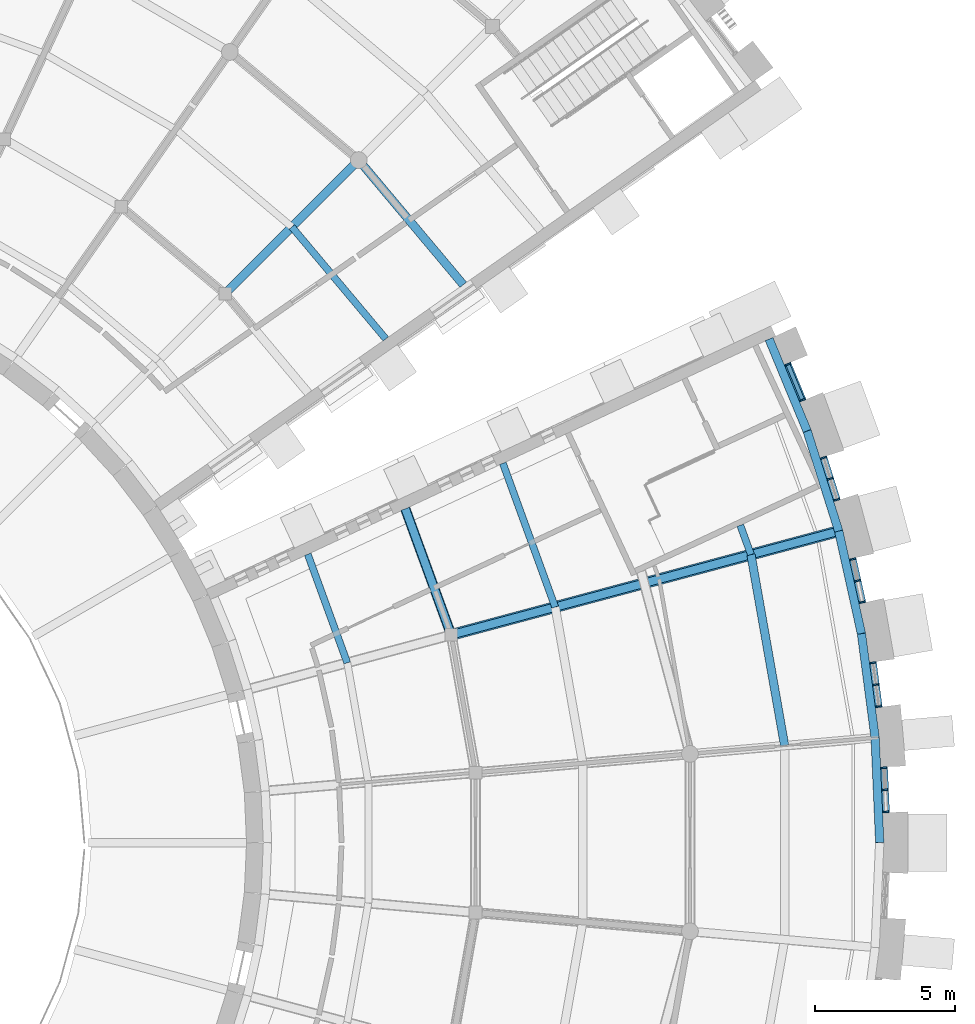
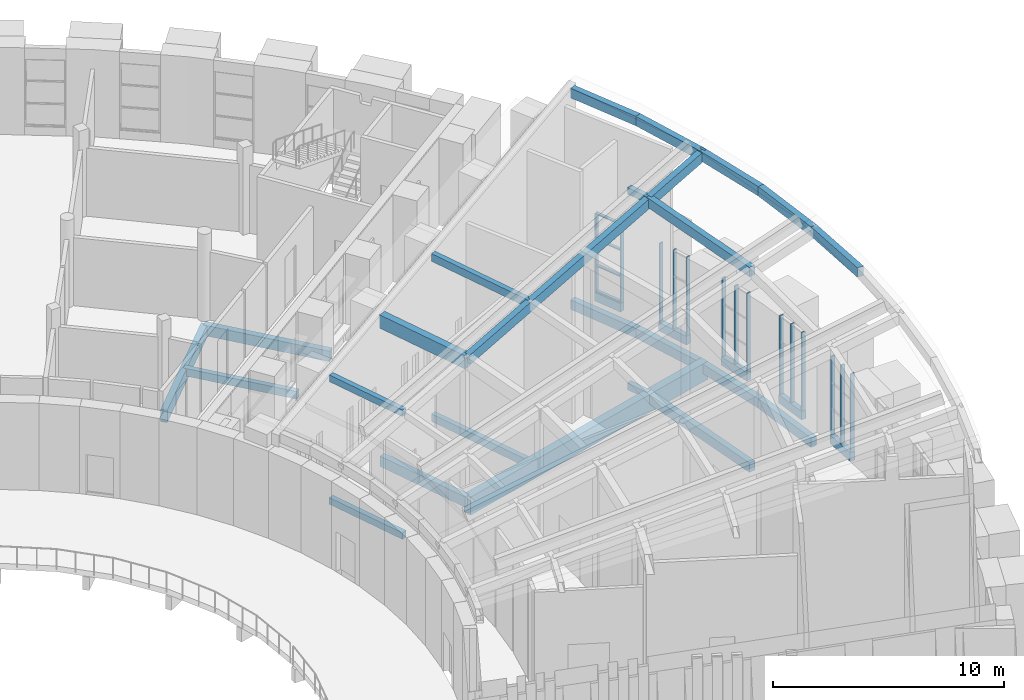
# One storey, part 8 of 50: 29 beams, 18 members, 5 elements without a shape of their own.
"""IFC4 building model written with IfcOpenShell, lengths in metres."""

from ifc_helpers import new_model, si_unit, direction, frame, origin, origin_2d, place, context, subcontext, project, spatial, rectangle, extrude, material, layer, layer_set, material_profile, profile_set, type_object, element, aggregate, save


model = new_model("IFC4")

# Units and contexts
model_context = context("Model", 3, precision=1e-05, world=origin(), true_north=direction((0.0, 1.0)))
body_context = subcontext(model_context, "Body", "Model", "MODEL_VIEW")
ifc_project = project(units=[si_unit("LENGTHUNIT", "METRE"), si_unit("AREAUNIT", "SQUARE_METRE"), si_unit("VOLUMEUNIT", "CUBIC_METRE"), si_unit("PLANEANGLEUNIT", "RADIAN"), si_unit("MASSUNIT", "GRAM", prefix="KILO")], contexts=[model_context])

# Site, building, storey
site_placement = place(None, origin())
site = spatial("IfcSite", under=ifc_project, at=site_placement, CompositionType="ELEMENT")
building_placement = place(site_placement, origin())
building = spatial("IfcBuilding", under=site, at=building_placement, Name="Volute Hill Aquarium", CompositionType="ELEMENT")
storey_placement = place(building_placement, frame((0.0, 0.0, 9.199951171875)))
storey = spatial("IfcBuildingStorey", under=building, at=storey_placement, Name="L03", CompositionType="ELEMENT", Elevation=9.199951171875)

# Beams
ifc_material_1 = material(Name="Concrete C35/45", Category="concrete")
ifc_material_profile_1 = material_profile(ifc_material_1, rectangle(XDim=0.300048828125, YDim=0.550048828125, at=origin_2d()), Name="RC beam 300x550")
ifc_profile_set_1 = profile_set([ifc_material_profile_1], Name="Concrete C35/45")
beam_type_1 = type_object("IfcBeamType", Name="Beam 300x550 C35/45", PredefinedType="BEAM", material=ifc_profile_set_1)
beam_1_placement = place(storey_placement, frame((27.72216796875, 7.427978515625, -0.514892578125), z_axis=(-0.342053281392, 0.939680558854, 0.0), x_axis=(-0.939680558854, -0.342053281392, 0.0)))
element("IfcBeam", 1, at=beam_1_placement, inside=storey, type_object=beam_type_1, Name="bm/S4/L03/ring1.15", PredefinedType="BEAM", context=body_context, shape_type="SweptSolid", body=[
    extrude(rectangle(XDim=0.300048828125, YDim=0.550048828125, at=origin_2d()), origin(), (0.0, 0.0, 1.0), 4.802001953125),
])
beam_2_placement = place(storey_placement, frame((28.152099609375, 19.95654296875, -0.56494140625), z_axis=(-0.642785502321, 0.766046211404, 0.0), x_axis=(-0.766046211404, -0.642785502321, 0.0)))
element("IfcBeam", 2, at=beam_2_placement, inside=storey, type_object=beam_type_1, Name="bm/S5/L03/ring2.22", PredefinedType="BEAM", context=body_context, shape_type="SweptSolid", body=[
    extrude(rectangle(XDim=0.300048828125, YDim=0.550048828125, at=origin_2d()), origin(), (0.0, 0.0, 1.0), 5.8173828125),
])
ifc_material_2 = material(Name="Concrete C35/45", Category="concrete")
ifc_material_profile_2 = material_profile(ifc_material_2, rectangle(XDim=0.300048828125, YDim=0.64990234375, at=origin_2d()), Name="RC beam 300x650")
ifc_profile_set_2 = profile_set([ifc_material_profile_2], Name="Concrete C35/45")
beam_type_2 = type_object("IfcBeamType", Name="Beam 300x650 C35/45", PredefinedType="BEAM", material=ifc_profile_set_2)
beam_3_placement = place(storey_placement, frame((19.631103515625, 19.631103515625, -0.614990234375), z_axis=(0.707106781187, 0.707106781187, 0.0), x_axis=(-0.707106781187, 0.707106781187, 0.0)))
element("IfcBeam", 3, at=beam_3_placement, inside=storey, type_object=beam_type_2, Name="bm/S5/L03/rad1.2", PredefinedType="BEAM", context=body_context, shape_type="SweptSolid", body=[
    extrude(rectangle(XDim=0.300048828125, YDim=0.64990234375, at=origin_2d()), origin(), (0.0, 0.0, 1.0), 6.762451171875),
])
ifc_material_3 = material(Name="Concrete C35/45", Category="concrete")
ifc_material_profile_3 = material_profile(ifc_material_3, rectangle(XDim=0.35009765625, YDim=0.699951171875, at=origin_2d()), Name="RC beam 350x700")
ifc_profile_set_3 = profile_set([ifc_material_profile_3], Name="Concrete C35/45")
beam_type_3 = type_object("IfcBeamType", Name="Beam 350x700 C35/45", PredefinedType="BEAM", material=ifc_profile_set_3)
beam_4_placement = place(storey_placement, frame((27.72216796875, 7.427978515625, 6.871337890625), z_axis=(-0.342053281392, 0.939680558854, 0.0), x_axis=(-0.939680558854, -0.342053281392, 0.0)))
element("IfcBeam", 4, at=beam_4_placement, inside=storey, type_object=beam_type_3, Name="rb/S4/L03/ring1.15", PredefinedType="BEAM", context=body_context, shape_type="SweptSolid", body=[
    extrude(rectangle(XDim=0.35009765625, YDim=0.699951171875, at=origin_2d()), origin(), (0.0, 0.0, 1.0), 4.802001953125),
])
ifc_material_4 = material(Name="Concrete C35/45", Category="concrete")
ifc_material_profile_4 = material_profile(ifc_material_4, rectangle(XDim=0.39990234375, YDim=0.949951171875, at=origin_2d()), Name="RC beam 400x950")
ifc_profile_set_4 = profile_set([ifc_material_profile_4], Name="Concrete C35/45")
beam_type_4 = type_object("IfcBeamType", Name="Beam 400x950 C35/45", PredefinedType="BEAM", material=ifc_profile_set_4)
beam_5_placement = place(storey_placement, frame((27.72216796875, 7.427978515625, -0.71484375), z_axis=(0.965924602504, 0.258823612287, 0.0), x_axis=(-0.258823612287, 0.965924602504, 0.0)))
element("IfcBeam", 5, at=beam_5_placement, inside=storey, type_object=beam_type_4, Name="bm/S4/L03/rad4.10", PredefinedType="BEAM", context=body_context, shape_type="SweptSolid", body=[
    extrude(rectangle(XDim=0.39990234375, YDim=0.949951171875, at=origin_2d()), origin(), (0.0, 0.0, 1.0), 14.5),
])

# Curtain wall, members
ifc_material_5 = material(Name="Aluminium", Category="aluminium")
ifc_layer_1 = layer(ifc_material_5, 0.25)
ifc_layer_set_1 = layer_set([ifc_layer_1], Name="Curtain wall niche S4 module 819")
curtain_wall_type_1 = type_object("IfcCurtainWallType", Name="Curtain wall niche S4 module 819", PredefinedType="NOTDEFINED", material=ifc_layer_set_1)
curtain_wall_1_placement = place(storey_placement, origin())
curtain_wall_1 = element("IfcCurtainWall", 6, at=curtain_wall_1_placement, inside=storey, type_object=curtain_wall_type_1, Name="Curtain wall CW S4 L03 6", PredefinedType="NOTDEFINED")
ifc_material_6 = material(Name="Aluminium", Category="aluminium")
ifc_material_profile_5 = material_profile(ifc_material_6, rectangle(XDim=0.199951171875, YDim=0.06005859375, at=origin_2d()), Name="Curtain wall mullion S4 60x200")
ifc_profile_set_5 = profile_set([ifc_material_profile_5], Name="Aluminium")
member_type_1 = type_object("IfcMemberType", Name="Curtain wall mullion S4 60x200", PredefinedType="MULLION", material=ifc_profile_set_5)
member_1_placement = place(storey_placement, frame((43.276611328125, 1.10009765625, 0.449951171875), z_axis=(0.0, 0.0, 1.0), x_axis=(-0.999048075201, -0.043622739916, 0.0)))
member_1 = element("IfcMember", 7, at=member_1_placement, type_object=member_type_1, Name="CW mullion 1", PredefinedType="MULLION", context=body_context, shape_type="SweptSolid", body=[
    extrude(rectangle(XDim=0.199951171875, YDim=0.06005859375, at=origin_2d()), origin(), (0.0, 0.0, 1.0), 4.150146484375),
])
member_2_placement = place(storey_placement, frame((43.2421875, 1.887939453125, 0.449951171875), z_axis=(0.0, 0.0, 1.0), x_axis=(-0.999048075201, -0.043622739916, 0.0)))
member_2 = element("IfcMember", 8, at=member_2_placement, type_object=member_type_1, Name="CW mullion 2", PredefinedType="MULLION", context=body_context, shape_type="SweptSolid", body=[
    extrude(rectangle(XDim=0.199951171875, YDim=0.06005859375, at=origin_2d()), origin(), (0.0, 0.0, 1.0), 4.150146484375),
])
member_3_placement = place(storey_placement, frame((43.207763671875, 2.676025390625, 0.449951171875), z_axis=(0.0, 0.0, 1.0), x_axis=(-0.999048075201, -0.043622739916, 0.0)))
member_3 = element("IfcMember", 9, at=member_3_placement, type_object=member_type_1, Name="CW mullion 3", PredefinedType="MULLION", context=body_context, shape_type="SweptSolid", body=[
    extrude(rectangle(XDim=0.199951171875, YDim=0.06005859375, at=origin_2d()), origin(), (0.0, 0.0, 1.0), 4.150146484375),
])
aggregate(curtain_wall_1, [member_1, member_2, member_3])

curtain_wall_2_placement = place(storey_placement, origin())
curtain_wall_2 = element("IfcCurtainWall", 10, at=curtain_wall_2_placement, inside=storey, type_object=curtain_wall_type_1, Name="Curtain wall CW S4 L03 7", PredefinedType="NOTDEFINED")
member_4_placement = place(storey_placement, frame((43.01611328125, 4.86767578125, 0.449951171875), z_axis=(0.0, 0.0, 1.0), x_axis=(-0.991446228392, -0.130515808269, 0.0)))
member_4 = element("IfcMember", 11, at=member_4_placement, type_object=member_type_1, Name="CW mullion 1", PredefinedType="MULLION", context=body_context, shape_type="SweptSolid", body=[
    extrude(rectangle(XDim=0.199951171875, YDim=0.06005859375, at=origin_2d()), origin(), (0.0, 0.0, 1.0), 4.150146484375),
])
member_5_placement = place(storey_placement, frame((42.9130859375, 5.649658203125, 0.449951171875), z_axis=(0.0, 0.0, 1.0), x_axis=(-0.991446228392, -0.130515808269, 0.0)))
member_5 = element("IfcMember", 12, at=member_5_placement, type_object=member_type_1, Name="CW mullion 2", PredefinedType="MULLION", context=body_context, shape_type="SweptSolid", body=[
    extrude(rectangle(XDim=0.199951171875, YDim=0.06005859375, at=origin_2d()), origin(), (0.0, 0.0, 1.0), 4.150146484375),
])
member_6_placement = place(storey_placement, frame((42.810302734375, 6.431640625, 0.449951171875), z_axis=(0.0, 0.0, 1.0), x_axis=(-0.991446228392, -0.130515808269, 0.0)))
member_6 = element("IfcMember", 13, at=member_6_placement, type_object=member_type_1, Name="CW mullion 3", PredefinedType="MULLION", context=body_context, shape_type="SweptSolid", body=[
    extrude(rectangle(XDim=0.199951171875, YDim=0.06005859375, at=origin_2d()), origin(), (0.0, 0.0, 1.0), 4.150146484375),
])
aggregate(curtain_wall_2, [member_4, member_5, member_6])

curtain_wall_3_placement = place(storey_placement, origin())
curtain_wall_3 = element("IfcCurtainWall", 14, at=curtain_wall_3_placement, inside=storey, type_object=curtain_wall_type_1, Name="Curtain wall CW S4 L03 8", PredefinedType="NOTDEFINED")
member_7_placement = place(storey_placement, frame((42.42822265625, 8.59814453125, 0.449951171875), z_axis=(0.0, 0.0, 1.0), x_axis=(-0.976296719673, -0.216436399795, 0.0)))
member_7 = element("IfcMember", 15, at=member_7_placement, type_object=member_type_1, Name="CW mullion 1", PredefinedType="MULLION", context=body_context, shape_type="SweptSolid", body=[
    extrude(rectangle(XDim=0.199951171875, YDim=0.06005859375, at=origin_2d()), origin(), (0.0, 0.0, 1.0), 4.150146484375),
])
member_8_placement = place(storey_placement, frame((42.257568359375, 9.3681640625, 0.449951171875), z_axis=(0.0, 0.0, 1.0), x_axis=(-0.976296719673, -0.216436399795, 0.0)))
member_8 = element("IfcMember", 16, at=member_8_placement, type_object=member_type_1, Name="CW mullion 2", PredefinedType="MULLION", context=body_context, shape_type="SweptSolid", body=[
    extrude(rectangle(XDim=0.199951171875, YDim=0.06005859375, at=origin_2d()), origin(), (0.0, 0.0, 1.0), 4.150146484375),
])
member_9_placement = place(storey_placement, frame((42.0869140625, 10.13818359375, 0.449951171875), z_axis=(0.0, 0.0, 1.0), x_axis=(-0.976296719673, -0.216436399795, 0.0)))
member_9 = element("IfcMember", 17, at=member_9_placement, type_object=member_type_1, Name="CW mullion 3", PredefinedType="MULLION", context=body_context, shape_type="SweptSolid", body=[
    extrude(rectangle(XDim=0.199951171875, YDim=0.06005859375, at=origin_2d()), origin(), (0.0, 0.0, 1.0), 4.150146484375),
])
aggregate(curtain_wall_3, [member_7, member_8, member_9])

curtain_wall_4_placement = place(storey_placement, origin())
curtain_wall_4 = element("IfcCurtainWall", 18, at=curtain_wall_4_placement, inside=storey, type_object=curtain_wall_type_1, Name="Curtain wall CW S4 L03 9", PredefinedType="NOTDEFINED")
member_10_placement = place(storey_placement, frame((41.517333984375, 12.263427734375, 0.449951171875), z_axis=(0.0, 0.0, 1.0), x_axis=(-0.953715759869, -0.300709576466, 0.0)))
member_10 = element("IfcMember", 19, at=member_10_placement, type_object=member_type_1, Name="CW mullion 1", PredefinedType="MULLION", context=body_context, shape_type="SweptSolid", body=[
    extrude(rectangle(XDim=0.199951171875, YDim=0.06005859375, at=origin_2d()), origin(), (0.0, 0.0, 1.0), 4.150146484375),
])
member_11_placement = place(storey_placement, frame((41.2802734375, 13.015625, 0.449951171875), z_axis=(0.0, 0.0, 1.0), x_axis=(-0.953715759869, -0.300709576466, 0.0)))
member_11 = element("IfcMember", 20, at=member_11_placement, type_object=member_type_1, Name="CW mullion 2", PredefinedType="MULLION", context=body_context, shape_type="SweptSolid", body=[
    extrude(rectangle(XDim=0.199951171875, YDim=0.06005859375, at=origin_2d()), origin(), (0.0, 0.0, 1.0), 4.150146484375),
])
member_12_placement = place(storey_placement, frame((41.04296875, 13.767822265625, 0.449951171875), z_axis=(0.0, 0.0, 1.0), x_axis=(-0.953715759869, -0.300709576466, 0.0)))
member_12 = element("IfcMember", 21, at=member_12_placement, type_object=member_type_1, Name="CW mullion 3", PredefinedType="MULLION", context=body_context, shape_type="SweptSolid", body=[
    extrude(rectangle(XDim=0.199951171875, YDim=0.06005859375, at=origin_2d()), origin(), (0.0, 0.0, 1.0), 4.150146484375),
])
aggregate(curtain_wall_4, [member_10, member_11, member_12])

ifc_material_7 = material(Name="Aluminium", Category="aluminium")
ifc_layer_2 = layer(ifc_material_7, 0.25)
ifc_layer_set_2 = layer_set([ifc_layer_2], Name="Curtain wall niche S4 module 1437")
curtain_wall_type_2 = type_object("IfcCurtainWallType", Name="Curtain wall niche S4 module 1437", PredefinedType="NOTDEFINED", material=ifc_layer_set_2)
curtain_wall_5_placement = place(storey_placement, origin())
curtain_wall_5 = element("IfcCurtainWall", 22, at=curtain_wall_5_placement, inside=storey, type_object=curtain_wall_type_2, Name="Curtain wall CW S4 L03 10", PredefinedType="NOTDEFINED")
member_13_placement = place(storey_placement, frame((40.29052734375, 15.835205078125, 0.449951171875), z_axis=(0.0, 0.0, 1.0), x_axis=(-0.923873852375, -0.38269714514, 0.0)))
member_13 = element("IfcMember", 23, at=member_13_placement, type_object=member_type_1, Name="CW mullion 1", PredefinedType="MULLION", context=body_context, shape_type="SweptSolid", body=[
    extrude(rectangle(XDim=0.199951171875, YDim=0.06005859375, at=origin_2d()), origin(), (0.0, 0.0, 1.0), 4.150146484375),
])
member_14_placement = place(storey_placement, frame((39.763427734375, 17.107666015625, 0.449951171875), z_axis=(0.0, 0.0, 1.0), x_axis=(-0.923873852375, -0.38269714514, 0.0)))
member_14 = element("IfcMember", 24, at=member_14_placement, type_object=member_type_1, Name="CW mullion 2", PredefinedType="MULLION", context=body_context, shape_type="SweptSolid", body=[
    extrude(rectangle(XDim=0.199951171875, YDim=0.06005859375, at=origin_2d()), origin(), (0.0, 0.0, 1.0), 4.150146484375),
])
ifc_material_8 = material(Name="Aluminium", Category="aluminium")
ifc_material_profile_6 = material_profile(ifc_material_8, rectangle(XDim=0.14990234375, YDim=0.06005859375, at=origin_2d()), Name="Curtain wall transom S4 60x150")
ifc_profile_set_6 = profile_set([ifc_material_profile_6], Name="Aluminium")
member_type_2 = type_object("IfcMemberType", Name="Curtain wall transom S4 60x150", PredefinedType="USERDEFINED", material=ifc_profile_set_6)
member_15_placement = place(storey_placement, frame((40.279052734375, 15.86279296875, 0.47998046875), z_axis=(-0.3827064316, 0.923870005581, 0.0), x_axis=(-0.923870005581, -0.3827064316, 0.0)))
member_15 = element("IfcMember", 25, at=member_15_placement, type_object=member_type_2, Name="CW transom 1.1", ObjectType="TRANSOM", PredefinedType="USERDEFINED", context=body_context, shape_type="SweptSolid", body=[
    extrude(rectangle(XDim=0.14990234375, YDim=0.06005859375, at=origin_2d()), origin(), (0.0, 0.0, 1.0), 1.3173828125),
])
member_16_placement = place(storey_placement, frame((40.279052734375, 15.86279296875, 1.83349609375), z_axis=(-0.3827064316, 0.923870005581, 0.0), x_axis=(-0.923870005581, -0.3827064316, 0.0)))
member_16 = element("IfcMember", 26, at=member_16_placement, type_object=member_type_2, Name="CW transom 1.2", ObjectType="TRANSOM", PredefinedType="USERDEFINED", context=body_context, shape_type="SweptSolid", body=[
    extrude(rectangle(XDim=0.14990234375, YDim=0.06005859375, at=origin_2d()), origin(), (0.0, 0.0, 1.0), 1.3173828125),
])
member_17_placement = place(storey_placement, frame((40.279052734375, 15.86279296875, 3.216796875), z_axis=(-0.3827064316, 0.923870005581, 0.0), x_axis=(-0.923870005581, -0.3827064316, 0.0)))
member_17 = element("IfcMember", 27, at=member_17_placement, type_object=member_type_2, Name="CW transom 1.3", ObjectType="TRANSOM", PredefinedType="USERDEFINED", context=body_context, shape_type="SweptSolid", body=[
    extrude(rectangle(XDim=0.14990234375, YDim=0.06005859375, at=origin_2d()), origin(), (0.0, 0.0, 1.0), 1.3173828125),
])
member_18_placement = place(storey_placement, frame((40.279052734375, 15.86279296875, 4.570068359375), z_axis=(-0.3827064316, 0.923870005581, 0.0), x_axis=(-0.923870005581, -0.3827064316, 0.0)))
member_18 = element("IfcMember", 28, at=member_18_placement, type_object=member_type_2, Name="CW transom 1.4", ObjectType="TRANSOM", PredefinedType="USERDEFINED", context=body_context, shape_type="SweptSolid", body=[
    extrude(rectangle(XDim=0.14990234375, YDim=0.06005859375, at=origin_2d()), origin(), (0.0, 0.0, 1.0), 1.3173828125),
])
aggregate(curtain_wall_5, [member_13, member_14, member_15, member_16, member_17, member_18])

# Beams
ifc_material_9 = material(Name="Concrete C35/45", Category="concrete")
ifc_material_profile_7 = material_profile(ifc_material_9, rectangle(XDim=0.300048828125, YDim=0.5, at=origin_2d()), Name="RC edge beam 300x500")
ifc_profile_set_7 = profile_set([ifc_material_profile_7], Name="Concrete C35/45")
beam_type_5 = type_object("IfcBeamType", Name="Edge beam 300x500 C35/45", PredefinedType="BEAM", material=ifc_profile_set_7)
beam_6_placement = place(storey_placement, frame((42.885986328125, 3.751953125, -0.489990234375), z_axis=(-0.130528499327, 0.991444557635, 0.0), x_axis=(-0.991444557635, -0.130528499327, 0.0)))
element("IfcBeam", 29, at=beam_6_placement, inside=storey, type_object=beam_type_5, Name="bm/S4/L03/edgeO.35", PredefinedType="BEAM", context=body_context, shape_type="SweptSolid", body=[
    extrude(rectangle(XDim=0.300048828125, YDim=0.5, at=origin_2d()), origin(), (0.0, 0.0, 1.0), 3.755859375),
])
for number, where, z_axis, x_axis, name in (
    (30, (42.395751953125, 7.4755859375, -0.489990234375), (-0.216414181403, 0.97630164503, 0.0), (-0.97630164503, -0.216414181403, 0.0), "bm/S4/L03/edgeO.36"),
    (31, (41.5830078125, 11.14208984375, -0.489990234375), (-0.300720668407, 0.953712262474, 0.0), (-0.953712262474, -0.300720668407, 0.0), "bm/S4/L03/edgeO.37"),
):
    element("IfcBeam", number, at=place(storey_placement, frame(where, z_axis=z_axis, x_axis=x_axis)), inside=storey, type_object=beam_type_5, Name=name, PredefinedType="BEAM", context=body_context, shape_type="SweptSolid", body=[
        extrude(rectangle(XDim=0.300048828125, YDim=0.5, at=origin_2d()), origin(), (0.0, 0.0, 1.0), 3.755615234375),
    ])
beam_7_placement = place(storey_placement, frame((40.45361328125, 14.723876953125, -0.489990234375), z_axis=(-0.382669162072, 0.923885443331, 0.0), x_axis=(-0.923885443331, -0.382669162072, 0.0)))
element("IfcBeam", 32, at=beam_7_placement, inside=storey, type_object=beam_type_5, Name="bm/S4/L03/edgeO.38", PredefinedType="BEAM", context=body_context, shape_type="SweptSolid", body=[
    extrude(rectangle(XDim=0.300048828125, YDim=0.5, at=origin_2d()), origin(), (0.0, 0.0, 1.0), 3.555419921875),
])
beam_8_placement = place(storey_placement, frame((43.0498046875, 0.0, 10.70263671875), z_axis=(-0.043617837767, 0.998984993755, -0.011245731645), x_axis=(-0.999048168805, -0.043620596126, 0.0)))
element("IfcBeam", 33, at=beam_8_placement, inside=storey, type_object=beam_type_5, Name="rb/S4/L03/edgeO.34", PredefinedType="BEAM", context=body_context, shape_type="SweptSolid", body=[
    extrude(rectangle(XDim=0.300048828125, YDim=0.5, at=origin_2d()), origin(), (0.0, 0.0, 1.0), 3.755859375),
])
beam_9_placement = place(storey_placement, frame((42.885986328125, 3.751953125, 10.660400390625), z_axis=(-0.130520246369, 0.991381871322, 0.011245021226), x_axis=(-0.991444557635, -0.130528499327, 0.0)))
element("IfcBeam", 34, at=beam_9_placement, inside=storey, type_object=beam_type_5, Name="rb/S4/L03/edgeO.35", PredefinedType="BEAM", context=body_context, shape_type="SweptSolid", body=[
    extrude(rectangle(XDim=0.300048828125, YDim=0.5, at=origin_2d()), origin(), (0.0, 0.0, 1.0), 3.756103515625),
])
for number, where, z_axis, x_axis, name in (
    (35, (42.395751953125, 7.4755859375, 10.70263671875), (-0.216400496221, 0.976239907553, -0.011245805301), (-0.97630164503, -0.216414181403, 0.0), "rb/S4/L03/edgeO.36"),
    (36, (41.5830078125, 11.14208984375, 10.660400390625), (-0.300701653264, 0.953651957424, 0.011245435801), (-0.953712262474, -0.300720668407, 0.0), "rb/S4/L03/edgeO.37"),
):
    element("IfcBeam", number, at=place(storey_placement, frame(where, z_axis=z_axis, x_axis=x_axis)), inside=storey, type_object=beam_type_5, Name=name, PredefinedType="BEAM", context=body_context, shape_type="SweptSolid", body=[
        extrude(rectangle(XDim=0.300048828125, YDim=0.5, at=origin_2d()), origin(), (0.0, 0.0, 1.0), 3.755859375),
    ])
beam_10_placement = place(storey_placement, frame((40.45361328125, 14.723876953125, 10.70263671875), z_axis=(-0.382645196008, 0.923827581605, -0.011191668213), x_axis=(-0.923885443331, -0.382669162072, 0.0)))
element("IfcBeam", 37, at=beam_10_placement, inside=storey, type_object=beam_type_5, Name="rb/S4/L03/edgeO.38", PredefinedType="BEAM", context=body_context, shape_type="SweptSolid", body=[
    extrude(rectangle(XDim=0.300048828125, YDim=0.5, at=origin_2d()), origin(), (0.0, 0.0, 1.0), 3.5556640625),
])
ifc_material_10 = material(Name="Concrete C35/45", Category="concrete")
ifc_material_profile_8 = material_profile(ifc_material_10, rectangle(XDim=0.25, YDim=0.35009765625, at=origin_2d()), Name="RC joist 250x350")
ifc_profile_set_8 = profile_set([ifc_material_profile_8], Name="Concrete C35/45")
beam_type_6 = type_object("IfcBeamType", Name="Joist 250x350 C35/45", PredefinedType="BEAM", material=ifc_profile_set_8)
beam_11_placement = place(storey_placement, frame((24.00341796875, 6.431640625, -0.4150390625), z_axis=(-0.34206571552, 0.939676032612, 0.0), x_axis=(-0.939676032612, -0.34206571552, 0.0)))
element("IfcBeam", 38, at=beam_11_placement, inside=storey, type_object=beam_type_6, Name="bm/S4/L03/jst5", PredefinedType="BEAM", context=body_context, shape_type="SweptSolid", body=[
    extrude(rectangle(XDim=0.25, YDim=0.35009765625, at=origin_2d()), origin(), (0.0, 0.0, 1.0), 4.131103515625),
])
beam_12_placement = place(storey_placement, frame((38.44384765625, 10.301025390625, -0.4150390625), z_axis=(-0.342112100043, 0.939659146182, 0.0), x_axis=(-0.939659146182, -0.342112100043, 0.0)))
element("IfcBeam", 39, at=beam_12_placement, inside=storey, type_object=beam_type_6, Name="bm/S4/L03/jst15", PredefinedType="BEAM", context=body_context, shape_type="SweptSolid", body=[
    extrude(rectangle(XDim=0.25, YDim=0.35009765625, at=origin_2d()), origin(), (0.0, 0.0, 1.0), 1.115478515625),
])
beam_13_placement = place(storey_placement, frame((24.00341796875, 6.431640625, 6.056640625), z_axis=(-0.34206571552, 0.939676032612, 0.0), x_axis=(-0.939676032612, -0.34206571552, 0.0)))
element("IfcBeam", 40, at=beam_13_placement, inside=storey, type_object=beam_type_6, Name="rb/S4/L03/jst5", PredefinedType="BEAM", context=body_context, shape_type="SweptSolid", body=[
    extrude(rectangle(XDim=0.25, YDim=0.35009765625, at=origin_2d()), origin(), (0.0, 0.0, 1.0), 4.131103515625),
])
beam_14_placement = place(storey_placement, frame((38.44384765625, 10.301025390625, 9.900146484375), z_axis=(-0.342112100043, 0.939659146182, 0.0), x_axis=(-0.939659146182, -0.342112100043, 0.0)))
element("IfcBeam", 41, at=beam_14_placement, inside=storey, type_object=beam_type_6, Name="rb/S4/L03/jst15", PredefinedType="BEAM", context=body_context, shape_type="SweptSolid", body=[
    extrude(rectangle(XDim=0.25, YDim=0.35009765625, at=origin_2d()), origin(), (0.0, 0.0, 1.0), 1.115478515625),
])
ifc_material_11 = material(Name="Concrete C35/45", Category="concrete")
ifc_material_profile_9 = material_profile(ifc_material_11, rectangle(XDim=0.25, YDim=0.39990234375, at=origin_2d()), Name="RC joist 250x400")
ifc_profile_set_9 = profile_set([ifc_material_profile_9], Name="Concrete C35/45")
beam_type_7 = type_object("IfcBeamType", Name="Joist 250x400 C35/45", PredefinedType="BEAM", material=ifc_profile_set_9)
for number, where, z_axis, x_axis, name in (
    (42, (31.44091796875, 8.424560546875, -0.43994140625), (-0.342004507506, 0.939698311611, 0.0), (-0.939698311611, -0.342004507506, 0.0), "bm/S4/L03/jst10"),
    (43, (31.44091796875, 8.424560546875, 8.01123046875), (-0.342004507506, 0.939698311611, 0.0), (-0.939698311611, -0.342004507506, 0.0), "rb/S4/L03/jst10"),
):
    element("IfcBeam", number, at=place(storey_placement, frame(where, z_axis=z_axis, x_axis=x_axis)), inside=storey, type_object=beam_type_7, Name=name, PredefinedType="BEAM", context=body_context, shape_type="SweptSolid", body=[
        extrude(rectangle(XDim=0.25, YDim=0.39990234375, at=origin_2d()), origin(), (0.0, 0.0, 1.0), 5.47314453125),
    ])
beam_15_placement = place(storey_placement, frame((25.38232421875, 18.01708984375, -0.489990234375), z_axis=(-0.642771431377, 0.766058018041, 0.0), x_axis=(-0.766058018041, -0.642771431377, 0.0)))
element("IfcBeam", 44, at=beam_15_placement, inside=storey, type_object=beam_type_7, Name="bm/S5/L03/jst6", PredefinedType="BEAM", context=body_context, shape_type="SweptSolid", body=[
    extrude(rectangle(XDim=0.25, YDim=0.39990234375, at=origin_2d()), origin(), (0.0, 0.0, 1.0), 5.22802734375),
])
ifc_material_12 = material(Name="Concrete C35/45", Category="concrete")
ifc_material_profile_10 = material_profile(ifc_material_12, rectangle(XDim=0.300048828125, YDim=0.5, at=origin_2d()), Name="RC joist 300x500")
ifc_profile_set_10 = profile_set([ifc_material_profile_10], Name="Concrete C35/45")
beam_type_8 = type_object("IfcBeamType", Name="Joist 300x500 C35/45", PredefinedType="BEAM", material=ifc_profile_set_10)
for number, where, z_axis, x_axis, name in (
    (45, (39.6484375, 3.46875, -0.489990234375), (-0.173630752629, 0.984810825358, 0.0), (-0.984810825358, -0.173630752629, 0.0), "bm/S4/L03/jst14"),
    (46, (39.6484375, 3.46875, 9.824951171875), (-0.173630752629, 0.984810825358, 0.0), (-0.984810825358, -0.173630752629, 0.0), "rb/S4/L03/jst14"),
):
    element("IfcBeam", number, at=place(storey_placement, frame(where, z_axis=z_axis, x_axis=x_axis)), inside=storey, type_object=beam_type_8, Name=name, PredefinedType="BEAM", context=body_context, shape_type="SweptSolid", body=[
        extrude(rectangle(XDim=0.300048828125, YDim=0.5, at=origin_2d()), origin(), (0.0, 0.0, 1.0), 6.937744140625),
    ])
ifc_material_13 = material(Name="Concrete C35/45", Category="concrete")
ifc_material_profile_11 = material_profile(ifc_material_13, rectangle(XDim=0.25, YDim=0.449951171875, at=origin_2d()), Name="RC beam 250x450")
ifc_profile_set_11 = profile_set([ifc_material_profile_11], Name="Concrete C35/45")
beam_type_9 = type_object("IfcBeamType", Name="Niche sill beam RC 250x450 C35/45", PredefinedType="BEAM", material=ifc_profile_set_11)
beam_16_placement = place(storey_placement, frame((43.278076171875, 1.070068359375, 0.22509765625), z_axis=(-0.043683079173, 0.999045438703, 0.0), x_axis=(-0.999045438703, -0.043683079173, 0.0)))
element("IfcBeam", 47, at=beam_16_placement, inside=storey, type_object=beam_type_9, Name="Niche sill beam OWB S4 L03 6", PredefinedType="BEAM", context=body_context, shape_type="SweptSolid", body=[
    extrude(rectangle(XDim=0.25, YDim=0.449951171875, at=origin_2d()), origin(), (0.0, 0.0, 1.0), 1.637451171875),
])
beam_17_placement = place(storey_placement, frame((43.02001953125, 4.837890625, 0.22509765625), z_axis=(-0.130473798764, 0.991451757695, 0.0), x_axis=(-0.991451757695, -0.130473798764, 0.0)))
element("IfcBeam", 48, at=beam_17_placement, inside=storey, type_object=beam_type_9, Name="Niche sill beam OWB S4 L03 7", PredefinedType="BEAM", context=body_context, shape_type="SweptSolid", body=[
    extrude(rectangle(XDim=0.25, YDim=0.449951171875, at=origin_2d()), origin(), (0.0, 0.0, 1.0), 1.63720703125),
])
beam_18_placement = place(storey_placement, frame((42.434814453125, 8.56884765625, 0.22509765625), z_axis=(-0.216488407717, 0.97628518852, 0.0), x_axis=(-0.97628518852, -0.216488407717, 0.0)))
element("IfcBeam", 49, at=beam_18_placement, inside=storey, type_object=beam_type_9, Name="Niche sill beam OWB S4 L03 8", PredefinedType="BEAM", context=body_context, shape_type="SweptSolid", body=[
    extrude(rectangle(XDim=0.25, YDim=0.449951171875, at=origin_2d()), origin(), (0.0, 0.0, 1.0), 1.637451171875),
])
beam_19_placement = place(storey_placement, frame((41.5263671875, 12.23486328125, 0.22509765625), z_axis=(-0.300753125362, 0.953702027672, 0.0), x_axis=(-0.953702027672, -0.300753125362, 0.0)))
element("IfcBeam", 50, at=beam_19_placement, inside=storey, type_object=beam_type_9, Name="Niche sill beam OWB S4 L03 9", PredefinedType="BEAM", context=body_context, shape_type="SweptSolid", body=[
    extrude(rectangle(XDim=0.25, YDim=0.449951171875, at=origin_2d()), origin(), (0.0, 0.0, 1.0), 1.63720703125),
])
beam_20_placement = place(storey_placement, frame((40.302001953125, 15.807373046875, 0.22509765625), z_axis=(-0.382696833945, 0.923873981281, 0.0), x_axis=(-0.923873981281, -0.382696833945, 0.0)))
element("IfcBeam", 51, at=beam_20_placement, inside=storey, type_object=beam_type_9, Name="Niche sill beam OWB S4 L03 10", PredefinedType="BEAM", context=body_context, shape_type="SweptSolid", body=[
    extrude(rectangle(XDim=0.25, YDim=0.449951171875, at=origin_2d()), origin(), (0.0, 0.0, 1.0), 1.437255859375),
])
ifc_material_14 = material(Name="Concrete C35/45", Category="concrete")
ifc_material_profile_12 = material_profile(ifc_material_14, rectangle(XDim=0.300048828125, YDim=0.5, at=origin_2d()), Name="RC rib 300x500")
ifc_profile_set_12 = profile_set([ifc_material_profile_12], Name="Concrete C35/45")
beam_type_10 = type_object("IfcBeamType", Name="Roof rib 300x500 C35/45", PredefinedType="BEAM", material=ifc_profile_set_12)
beam_21_placement = place(storey_placement, frame((27.72216796875, 7.427978515625, 6.963134765625), z_axis=(0.935503219388, 0.25067207308, 0.248992446256), x_axis=(-0.258823612287, 0.965924602504, 0.0)))
element("IfcBeam", 52, at=beam_21_placement, inside=storey, type_object=beam_type_10, Name="rb/S4/L03/rib4.10", PredefinedType="BEAM", context=body_context, shape_type="SweptSolid", body=[
    extrude(rectangle(XDim=0.300048828125, YDim=0.5, at=origin_2d()), origin(), (0.0, 0.0, 1.0), 14.971435546875),
])

save(model, "model.ifc")
